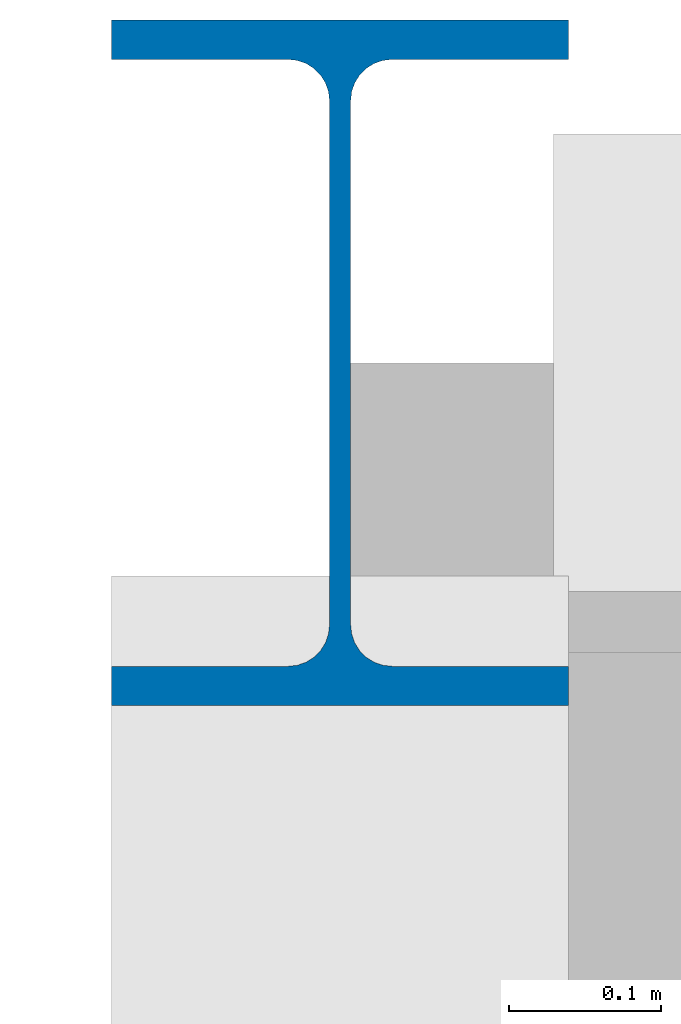
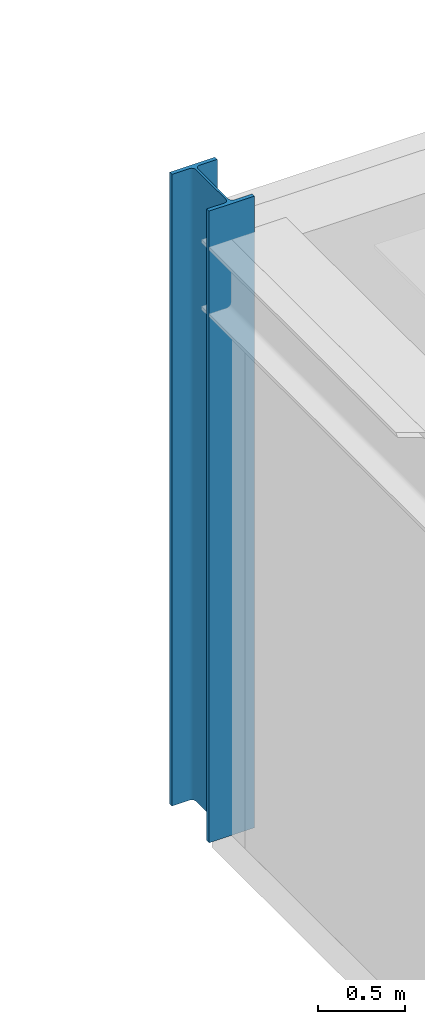
# One storey, part 14 of 103: 1 column.
"""IFC4 building model written with IfcOpenShell, lengths in metres."""

from ifc_helpers import new_model, si_unit, direction, frame, origin, origin_2d, place, context, subcontext, project, spatial, i_section, extrude, material, material_profile, profile_set, type_object, element, save


model = new_model("IFC4")

# Units and contexts
model_context = context("Model", 3, precision=1e-05, world=origin(), true_north=direction((0.0, 1.0)))
body_context = subcontext(model_context, "Body", "Model", "MODEL_VIEW")
ifc_project = project(units=[si_unit("LENGTHUNIT", "METRE"), si_unit("AREAUNIT", "SQUARE_METRE"), si_unit("VOLUMEUNIT", "CUBIC_METRE"), si_unit("PLANEANGLEUNIT", "RADIAN"), si_unit("MASSUNIT", "GRAM", prefix="KILO")], contexts=[model_context])

# Site, building, storey
site_placement = place(None, origin())
site = spatial("IfcSite", under=ifc_project, at=site_placement, CompositionType="ELEMENT")
building_placement = place(site_placement, origin())
building = spatial("IfcBuilding", under=site, at=building_placement, Name="Varnklinge Art Gallery", CompositionType="ELEMENT")
storey_placement = place(building_placement, frame((0.0, 0.0, 5.10009765625)))
storey = spatial("IfcBuildingStorey", under=building, at=storey_placement, Name="L01", CompositionType="ELEMENT", Elevation=5.10009765625)

# Column
ifc_material = material(Name="Steel S355", Category="steel")
ifc_material_profile = material_profile(ifc_material, i_section(OverallWidth=0.300048828125, OverallDepth=0.449951171875, WebThickness=0.013916015625, FlangeThickness=0.02587890625, FilletRadius=0.027099609375, at=origin_2d()), Name="HEB 450")
ifc_profile_set = profile_set([ifc_material_profile], Name="Steel S355")
column_type = type_object("IfcColumnType", Name="COL-E2", PredefinedType="COLUMN", material=ifc_profile_set)
column_placement = place(storey_placement, frame((114.39990234375, 113.5, 0.0), z_axis=(0.0, 0.0, 1.0), x_axis=(1.0, 0.0, 0.0)))
element("IfcColumn", 1, at=column_placement, inside=storey, type_object=column_type, Name="L01 Column V1C-1-8", PredefinedType="COLUMN", context=body_context, shape_type="SweptSolid", body=[
    extrude(i_section(OverallWidth=0.300048828125, OverallDepth=0.449951171875, WebThickness=0.013916015625, FlangeThickness=0.02587890625, FilletRadius=0.027099609375, at=origin_2d()), origin(), (0.0, 0.0, 1.0), 4.419921875),
])

save(model, "model.ifc")
